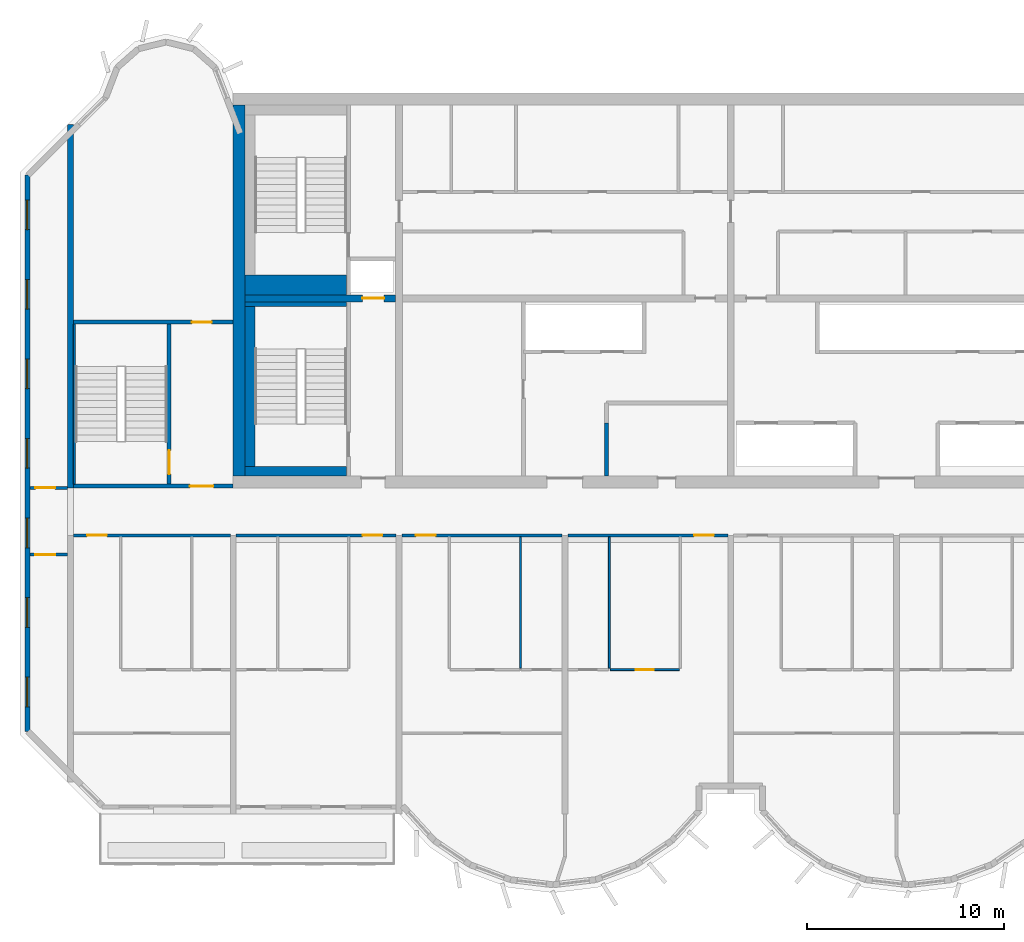
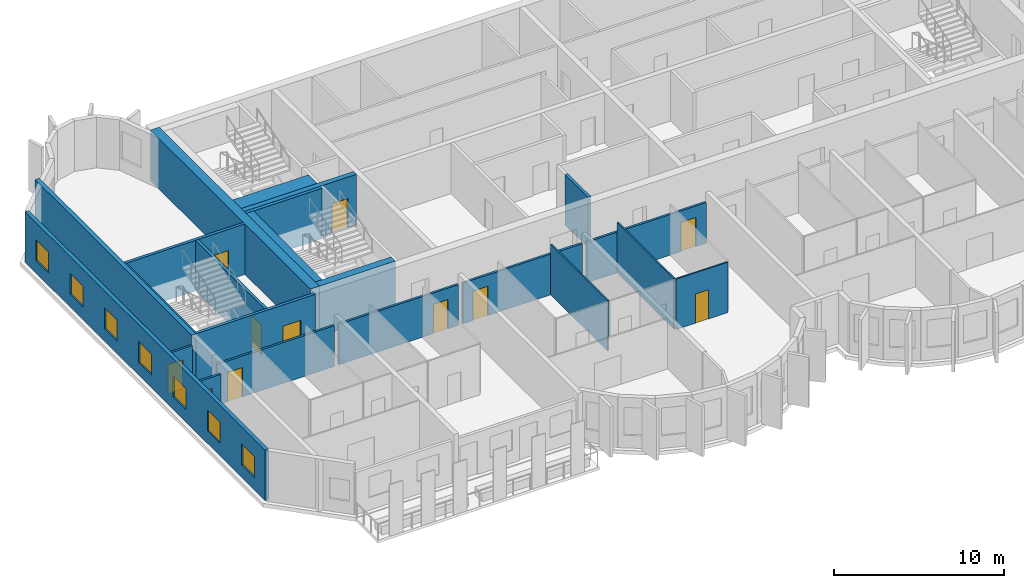
# One storey, part 3 of 12: 22 walls, 11 doors, 7 windows, 18 openings.
"""IFC4 building model written with IfcOpenShell, lengths in metres."""

from ifc_helpers import new_model, si_unit, direction, frame, frame_2d, origin, place, context, subcontext, project, spatial, rectangle, extrude, source, transform, mapped, material, layer, layer_set, type_object, element, fill, save


model = new_model("IFC4")

# Units and contexts
model_context = context("Model", 3, precision=1e-05, world=origin(), true_north=direction((0.0, 1.0)))
body_context = subcontext(model_context, "Body", "Model", "MODEL_VIEW")
ifc_project = project(units=[si_unit("LENGTHUNIT", "METRE"), si_unit("AREAUNIT", "SQUARE_METRE"), si_unit("VOLUMEUNIT", "CUBIC_METRE"), si_unit("PLANEANGLEUNIT", "RADIAN"), si_unit("MASSUNIT", "GRAM", prefix="KILO")], contexts=[model_context])

# Site, building, storey
site_placement = place(None, origin())
site = spatial("IfcSite", under=ifc_project, at=site_placement, CompositionType="ELEMENT")
building_placement = place(site_placement, origin())
building = spatial("IfcBuilding", under=site, at=building_placement, Name="Vanashikhar Sky Hotel", CompositionType="ELEMENT")
storey_placement = place(building_placement, frame((0.0, 0.0, 253.0)))
storey = spatial("IfcBuildingStorey", under=building, at=storey_placement, Name="L61", CompositionType="ELEMENT", Elevation=253.0)

# Wall
ifc_material_1 = material(Name="Concrete M60", Category="concrete")
ifc_layer_1 = layer(ifc_material_1, 0.60009765625)
ifc_layer_set_1 = layer_set([ifc_layer_1], Name="RC core shell wall 600 Concrete M60")
wall_type_1 = type_object("IfcWallType", Name="RC core shell wall 600 Concrete M60", PredefinedType="SHEAR", material=ifc_layer_set_1)
shared_shape_1 = source(origin(), body_context, "Body", "SweptSolid", [
    extrude(rectangle(XDim=18.7998046875, YDim=0.60009765625, at=frame_2d((9.39990234375, 0.0))), origin(), (0.0, 0.0, 1.0), 3.6201171875),
])
wall_1_placement = place(storey_placement, frame((25.5, 22.60009765625, 0.0), z_axis=(0.0, 0.0, 1.0), x_axis=(0.0, 1.0, 0.0)))
element("IfcWall", 1, at=wall_1_placement, inside=storey, type_object=wall_type_1, Name="KW-L61-KW", PredefinedType="SHEAR", context=body_context, shape_type="MappedRepresentation", body=[
    mapped(shared_shape_1, transform((0.0, 0.0, 0.0), scale=1.0)),
])

# Wall, opening, door
ifc_layer_2 = layer(ifc_material_1, 0.35009765625)
ifc_layer_set_2 = layer_set([ifc_layer_2], Name="RC core inner wall 350 Concrete M60")
wall_type_2 = type_object("IfcWallType", Name="RC core inner wall 350 Concrete M60", PredefinedType="SHEAR", material=ifc_layer_set_2)
shared_shape_2 = source(origin(), body_context, "Body", "SweptSolid", [
    extrude(rectangle(XDim=7.625, YDim=0.35009765625, at=frame_2d((3.8125, 0.0))), origin(), (0.0, 0.0, 1.0), 3.6201171875),
])
wall_2_placement = place(storey_placement, frame((25.800048828125, 31.60009765625, 0.0), z_axis=(0.0, 0.0, 1.0), x_axis=(1.0, 0.0, 0.0)))
wall_2 = element("IfcWall", 2, at=wall_2_placement, inside=storey, type_object=wall_type_2, Name="KW-L61-KY1", PredefinedType="SHEAR", context=body_context, shape_type="MappedRepresentation", body=[
    mapped(shared_shape_2, transform((0.0, 0.0, 0.0), scale=1.0)),
])
shared_shape_3 = source(origin(), body_context, "Body", "SweptSolid", [
    extrude(rectangle(XDim=1.10009765625, YDim=2.10009765625, at=frame_2d((0.550048828125, 1.050048828125))), frame((0.0, 0.18505859375, 0.0), z_axis=(0.0, -1.0, 0.0), x_axis=(1.0, 0.0, 0.0)), (0.0, 0.0, 1.0), 0.3701171875),
])
opening_1_placement = place(wall_2_placement, frame((5.93798828125, 0.0, 0.0)))
opening_1 = element("IfcOpeningElement", 3, at=opening_1_placement, cuts=wall_2, Name="Opening LD", PredefinedType="OPENING", context=body_context, shape_type="MappedRepresentation", body=[
    mapped(shared_shape_3, transform((0.0, 0.0, 0.0), scale=1.0)),
])
ifc_material_2 = material(Name="Stainless steel", Category="steel")
door_type_1 = type_object("IfcDoorType", Name="Lift landing door 1100", OperationType="NOTDEFINED", PredefinedType="DOOR", material=ifc_material_2)
shared_shape_4 = source(origin(), body_context, "Body", "SweptSolid", [
    extrude(rectangle(XDim=1.10009765625, YDim=2.10009765625, at=frame_2d((0.550048828125, 1.050048828125))), frame((0.0, 0.02490234375, 0.0), z_axis=(0.0, -1.0, 0.0), x_axis=(1.0, 0.0, 0.0)), (0.0, 0.0, 1.0), 0.050048828125),
])
door_1_placement = place(opening_1_placement, origin())
door_1 = element("IfcDoor", 4, at=door_1_placement, inside=storey, type_object=door_type_1, Name="Lift landing door 1100", OperationType="SLIDING_TO_RIGHT", OverallHeight=2.10009765625, OverallWidth=1.10009765625, PredefinedType="DOOR", context=body_context, shape_type="MappedRepresentation", body=[
    mapped(shared_shape_4, transform((0.0, 0.0, 0.0), scale=1.0)),
])
fill(opening_1, door_1)

# Wall
ifc_layer_3 = layer(ifc_material_1, 0.300048828125)
ifc_layer_set_3 = layer_set([ifc_layer_3], Name="RC shear wall 300 Concrete M60")
wall_type_3 = type_object("IfcWallType", Name="RC shear wall 300 Concrete M60", PredefinedType="SHEAR", material=ifc_layer_set_3)
shared_shape_5 = source(origin(), body_context, "Body", "SweptSolid", [
    extrude(rectangle(XDim=18.39990234375, YDim=0.300048828125, at=frame_2d((9.199951171875, 0.0))), origin(), (0.0, 0.0, 1.0), 3.6201171875),
])
wall_3_placement = place(storey_placement, frame((16.949951171875, 22.0, 0.0), z_axis=(0.0, 0.0, 1.0), x_axis=(0.0, 1.0, 0.0)))
element("IfcWall", 5, at=wall_3_placement, inside=storey, type_object=wall_type_3, Name="CW-L61-XW03-2", PredefinedType="SHEAR", context=body_context, shape_type="MappedRepresentation", body=[
    mapped(shared_shape_5, transform((0.0, 0.0, 0.0), scale=1.0)),
])

# Wall, openings, windows
ifc_material_3 = material(Name="Concrete M50", Category="concrete")
ifc_layer_4 = layer(ifc_material_3, 0.25)
ifc_layer_set_4 = layer_set([ifc_layer_4], Name="Rear and end board-marked wall 250")
wall_type_4 = type_object("IfcWallType", Name="Rear and end board-marked wall 250", PredefinedType="SOLIDWALL", material=ifc_layer_set_4)
shared_shape_6 = source(origin(), body_context, "Body", "SweptSolid", [
    extrude(rectangle(XDim=28.189453125, YDim=0.25, at=frame_2d((14.0947265625, 0.0))), origin(), (0.0, 0.0, 1.0), 3.6201171875),
])
wall_4_placement = place(storey_placement, frame((14.77490234375, 37.8447265625, 0.0), z_axis=(0.0, 0.0, 1.0), x_axis=(0.0, -1.0, 0.0)))
wall_4 = element("IfcWall", 6, at=wall_4_placement, inside=storey, type_object=wall_type_4, Name="End board-marked wall", PredefinedType="SOLIDWALL", context=body_context, shape_type="MappedRepresentation", body=[
    mapped(shared_shape_6, transform((0.0, 0.0, 0.0), scale=1.0)),
])
shared_shape_7 = source(origin(), body_context, "Body", "SweptSolid", [
    extrude(rectangle(XDim=1.5, YDim=1.5, at=frame_2d((0.75, 0.75))), frame((0.0, 0.135009765625, 0.0), z_axis=(0.0, -1.0, 0.0), x_axis=(1.0, 0.0, 0.0)), (0.0, 0.0, 1.0), 0.27001953125),
])
opening_2_placement = place(wall_4_placement, frame((1.263427734375, 0.0, 0.89990234375)))
opening_2 = element("IfcOpeningElement", 7, at=opening_2_placement, cuts=wall_4, Name="Opening WN-1", PredefinedType="OPENING", context=body_context, shape_type="MappedRepresentation", body=[
    mapped(shared_shape_7, transform((0.0, 0.0, 0.0), scale=1.0)),
])
opening_3_placement = place(wall_4_placement, frame((5.29052734375, 0.0, 0.89990234375)))
opening_3 = element("IfcOpeningElement", 8, at=opening_3_placement, cuts=wall_4, Name="Opening WN-1", PredefinedType="OPENING", context=body_context, shape_type="MappedRepresentation", body=[
    mapped(shared_shape_7, transform((0.0, 0.0, 0.0), scale=1.0)),
])
opening_4_placement = place(wall_4_placement, frame((9.317626953125, 0.0, 0.89990234375)))
opening_4 = element("IfcOpeningElement", 9, at=opening_4_placement, cuts=wall_4, Name="Opening WN-1", PredefinedType="OPENING", context=body_context, shape_type="MappedRepresentation", body=[
    mapped(shared_shape_7, transform((0.0, 0.0, 0.0), scale=1.0)),
])
opening_5_placement = place(wall_4_placement, frame((13.3447265625, 0.0, 0.89990234375)))
opening_5 = element("IfcOpeningElement", 10, at=opening_5_placement, cuts=wall_4, Name="Opening WN-1", PredefinedType="OPENING", context=body_context, shape_type="MappedRepresentation", body=[
    mapped(shared_shape_7, transform((0.0, 0.0, 0.0), scale=1.0)),
])
opening_6_placement = place(wall_4_placement, frame((17.371826171875, 0.0, 0.89990234375)))
opening_6 = element("IfcOpeningElement", 11, at=opening_6_placement, cuts=wall_4, Name="Opening WN-1", PredefinedType="OPENING", context=body_context, shape_type="MappedRepresentation", body=[
    mapped(shared_shape_7, transform((0.0, 0.0, 0.0), scale=1.0)),
])
opening_7_placement = place(wall_4_placement, frame((21.398681640625, 0.0, 0.89990234375)))
opening_7 = element("IfcOpeningElement", 12, at=opening_7_placement, cuts=wall_4, Name="Opening WN-1", PredefinedType="OPENING", context=body_context, shape_type="MappedRepresentation", body=[
    mapped(shared_shape_7, transform((0.0, 0.0, 0.0), scale=1.0)),
])
opening_8_placement = place(wall_4_placement, frame((25.42578125, 0.0, 0.89990234375)))
opening_8 = element("IfcOpeningElement", 13, at=opening_8_placement, cuts=wall_4, Name="Opening WN-1", PredefinedType="OPENING", context=body_context, shape_type="MappedRepresentation", body=[
    mapped(shared_shape_7, transform((0.0, 0.0, 0.0), scale=1.0)),
])
ifc_material_4 = material(Name="Glass", Category="glass")
window_type = type_object("IfcWindowType", Name="Window 1500 x 1500", PartitioningType="SINGLE_PANEL", PredefinedType="WINDOW", material=ifc_material_4)
shared_shape_8 = source(origin(), body_context, "Body", "SweptSolid", [
    extrude(rectangle(XDim=1.5, YDim=1.5, at=frame_2d((0.75, 0.75))), frame((0.0, 0.030029296875, 0.0), z_axis=(0.0, -1.0, 0.0), x_axis=(1.0, 0.0, 0.0)), (0.0, 0.0, 1.0), 0.06005859375),
])
window_1_placement = place(opening_2_placement, origin())
window_1 = element("IfcWindow", 14, at=window_1_placement, inside=storey, type_object=window_type, Name="Window WN-1", OverallHeight=1.5, OverallWidth=1.5, PartitioningType="SINGLE_PANEL", PredefinedType="WINDOW", context=body_context, shape_type="MappedRepresentation", body=[
    mapped(shared_shape_8, transform((0.0, 0.0, 0.0), scale=1.0)),
])
fill(opening_2, window_1)
window_2_placement = place(opening_3_placement, origin())
window_2 = element("IfcWindow", 15, at=window_2_placement, inside=storey, type_object=window_type, Name="Window WN-1", OverallHeight=1.5, OverallWidth=1.5, PartitioningType="SINGLE_PANEL", PredefinedType="WINDOW", context=body_context, shape_type="MappedRepresentation", body=[
    mapped(shared_shape_8, transform((0.0, 0.0, 0.0), scale=1.0)),
])
fill(opening_3, window_2)
window_3_placement = place(opening_4_placement, origin())
window_3 = element("IfcWindow", 16, at=window_3_placement, inside=storey, type_object=window_type, Name="Window WN-1", OverallHeight=1.5, OverallWidth=1.5, PartitioningType="SINGLE_PANEL", PredefinedType="WINDOW", context=body_context, shape_type="MappedRepresentation", body=[
    mapped(shared_shape_8, transform((0.0, 0.0, 0.0), scale=1.0)),
])
fill(opening_4, window_3)
window_4_placement = place(opening_5_placement, origin())
window_4 = element("IfcWindow", 17, at=window_4_placement, inside=storey, type_object=window_type, Name="Window WN-1", OverallHeight=1.5, OverallWidth=1.5, PartitioningType="SINGLE_PANEL", PredefinedType="WINDOW", context=body_context, shape_type="MappedRepresentation", body=[
    mapped(shared_shape_8, transform((0.0, 0.0, 0.0), scale=1.0)),
])
fill(opening_5, window_4)
window_5_placement = place(opening_6_placement, origin())
window_5 = element("IfcWindow", 18, at=window_5_placement, inside=storey, type_object=window_type, Name="Window WN-1", OverallHeight=1.5, OverallWidth=1.5, PartitioningType="SINGLE_PANEL", PredefinedType="WINDOW", context=body_context, shape_type="MappedRepresentation", body=[
    mapped(shared_shape_8, transform((0.0, 0.0, 0.0), scale=1.0)),
])
fill(opening_6, window_5)
window_6_placement = place(opening_7_placement, origin())
window_6 = element("IfcWindow", 19, at=window_6_placement, inside=storey, type_object=window_type, Name="Window WN-1", OverallHeight=1.5, OverallWidth=1.5, PartitioningType="SINGLE_PANEL", PredefinedType="WINDOW", context=body_context, shape_type="MappedRepresentation", body=[
    mapped(shared_shape_8, transform((0.0, 0.0, 0.0), scale=1.0)),
])
fill(opening_7, window_6)
window_7_placement = place(opening_8_placement, origin())
window_7 = element("IfcWindow", 20, at=window_7_placement, inside=storey, type_object=window_type, Name="Window WN-1", OverallHeight=1.5, OverallWidth=1.5, PartitioningType="SINGLE_PANEL", PredefinedType="WINDOW", context=body_context, shape_type="MappedRepresentation", body=[
    mapped(shared_shape_8, transform((0.0, 0.0, 0.0), scale=1.0)),
])
fill(opening_8, window_7)

# Wall
ifc_material_5 = material(Name="Gypsum board partition")
ifc_layer_5 = layer(ifc_material_5, 0.14990234375)
ifc_layer_set_5 = layer_set([ifc_layer_5], Name="Service partition 150")
wall_type_5 = type_object("IfcWallType", Name="Service partition 150", PredefinedType="PARTITIONING", material=ifc_layer_set_5)
shared_shape_9 = source(origin(), body_context, "Body", "SweptSolid", [
    extrude(rectangle(XDim=2.699951171875, YDim=0.199951171875, at=frame_2d((1.35009765625, 0.0))), origin(), (0.0, 0.0, 1.0), 3.6201171875),
])
wall_5_placement = place(storey_placement, frame((44.10009765625, 22.60009765625, 0.0), z_axis=(0.0, 0.0, 1.0), x_axis=(0.0, 1.0, 0.0)))
element("IfcWall", 21, at=wall_5_placement, inside=storey, type_object=wall_type_5, Name="Service partition 150", PredefinedType="PARTITIONING", context=body_context, shape_type="MappedRepresentation", body=[
    mapped(shared_shape_9, transform((0.0, 0.0, 0.0), scale=1.0)),
])

# Wall, opening, door
ifc_layer_6 = layer(ifc_material_3, 0.199951171875)
ifc_layer_set_6 = layer_set([ifc_layer_6], Name="Stair wall 200")
wall_type_6 = type_object("IfcWallType", Name="Stair wall 200", PredefinedType="SOLIDWALL", material=ifc_layer_set_6)
shared_shape_10 = source(origin(), body_context, "Body", "SweptSolid", [
    extrude(rectangle(XDim=8.2998046875, YDim=0.199951171875, at=frame_2d((4.14990234375, 0.0))), origin(), (0.0, 0.0, 1.0), 3.6201171875),
])
wall_6_placement = place(storey_placement, frame((21.949951171875, 22.10009765625, 0.0), z_axis=(0.0, 0.0, 1.0), x_axis=(0.0, 1.0, 0.0)))
wall_6 = element("IfcWall", 22, at=wall_6_placement, inside=storey, type_object=wall_type_6, Name="Stair wall 200", PredefinedType="SOLIDWALL", context=body_context, shape_type="MappedRepresentation", body=[
    mapped(shared_shape_10, transform((0.0, 0.0, 0.0), scale=1.0)),
])
shared_shape_11 = source(origin(), body_context, "Body", "SweptSolid", [
    extrude(rectangle(XDim=1.199951171875, YDim=2.10009765625, at=frame_2d((0.60009765625, 1.050048828125))), frame((0.0, 0.10986328125, 0.0), z_axis=(0.0, -1.0, 0.0), x_axis=(1.0, 0.0, 0.0)), (0.0, 0.0, 1.0), 0.219970703125),
])
opening_9_placement = place(wall_6_placement, frame((0.60009765625, 0.0, 0.0)))
opening_9 = element("IfcOpeningElement", 23, at=opening_9_placement, cuts=wall_6, Name="Opening DC-1", PredefinedType="OPENING", context=body_context, shape_type="MappedRepresentation", body=[
    mapped(shared_shape_11, transform((0.0, 0.0, 0.0), scale=1.0)),
])
ifc_material_6 = material(Name="Steel", Category="steel")
door_type_2 = type_object("IfcDoorType", Name="Stair door 1200 FD120", OperationType="NOTDEFINED", PredefinedType="DOOR", material=ifc_material_6)
shared_shape_12 = source(origin(), body_context, "Body", "SweptSolid", [
    extrude(rectangle(XDim=1.199951171875, YDim=2.10009765625, at=frame_2d((0.60009765625, 1.050048828125))), frame((0.0, 0.02490234375, 0.0), z_axis=(0.0, -1.0, 0.0), x_axis=(1.0, 0.0, 0.0)), (0.0, 0.0, 1.0), 0.050048828125),
])
door_2_placement = place(opening_9_placement, origin())
door_2 = element("IfcDoor", 24, at=door_2_placement, inside=storey, type_object=door_type_2, Name="Stair door 1200 FD120", OperationType="SINGLE_SWING_LEFT", OverallHeight=2.10009765625, OverallWidth=1.199951171875, PredefinedType="DOOR", context=body_context, shape_type="MappedRepresentation", body=[
    mapped(shared_shape_12, transform((0.0, 0.0, 0.0), scale=1.0)),
])
fill(opening_9, door_2)

shared_shape_13 = source(origin(), body_context, "Body", "SweptSolid", [
    extrude(rectangle(XDim=8.099853515625, YDim=0.199951171875, at=frame_2d((4.0498046875, 0.0))), origin(), (0.0, 0.0, 1.0), 3.6201171875),
])
wall_7_placement = place(storey_placement, frame((17.10009765625, 22.10009765625, 0.0), z_axis=(0.0, 0.0, 1.0), x_axis=(1.0, 0.0, 0.0)))
wall_7 = element("IfcWall", 25, at=wall_7_placement, inside=storey, type_object=wall_type_6, Name="Stair wall 200", PredefinedType="SOLIDWALL", context=body_context, shape_type="MappedRepresentation", body=[
    mapped(shared_shape_13, transform((0.0, 0.0, 0.0), scale=1.0)),
])
opening_10_placement = place(wall_7_placement, frame((5.89990234375, 0.0, 0.0)))
opening_10 = element("IfcOpeningElement", 26, at=opening_10_placement, cuts=wall_7, Name="Opening DC-2", PredefinedType="OPENING", context=body_context, shape_type="MappedRepresentation", body=[
    mapped(shared_shape_11, transform((0.0, 0.0, 0.0), scale=1.0)),
])
door_type_3 = type_object("IfcDoorType", Name="Firefighting lobby door 1200 FD120", OperationType="NOTDEFINED", PredefinedType="DOOR", material=ifc_material_6)
door_3_placement = place(opening_10_placement, origin())
door_3 = element("IfcDoor", 27, at=door_3_placement, inside=storey, type_object=door_type_3, Name="Firefighting lobby door 1200 FD120", OperationType="SINGLE_SWING_RIGHT", OverallHeight=2.10009765625, OverallWidth=1.199951171875, PredefinedType="DOOR", context=body_context, shape_type="MappedRepresentation", body=[
    mapped(shared_shape_12, transform((0.0, 0.0, 0.0), scale=1.0)),
])
fill(opening_10, door_3)

wall_8_placement = place(storey_placement, frame((17.10009765625, 30.39990234375, 0.0), z_axis=(0.0, 0.0, 1.0), x_axis=(1.0, 0.0, 0.0)))
wall_8 = element("IfcWall", 28, at=wall_8_placement, inside=storey, type_object=wall_type_6, Name="Stair wall 200", PredefinedType="SOLIDWALL", context=body_context, shape_type="MappedRepresentation", body=[
    mapped(shared_shape_13, transform((0.0, 0.0, 0.0), scale=1.0)),
])
shared_shape_14 = source(origin(), body_context, "Body", "SweptSolid", [
    extrude(rectangle(XDim=1.0, YDim=2.10009765625, at=frame_2d((0.5, 1.050048828125))), frame((0.0, 0.10986328125, 0.0), z_axis=(0.0, -1.0, 0.0), x_axis=(1.0, 0.0, 0.0)), (0.0, 0.0, 1.0), 0.219970703125),
])
opening_11_placement = place(wall_8_placement, frame((6.0, 0.0, 0.0)))
opening_11 = element("IfcOpeningElement", 29, at=opening_11_placement, cuts=wall_8, Name="Opening DC-6", PredefinedType="OPENING", context=body_context, shape_type="MappedRepresentation", body=[
    mapped(shared_shape_14, transform((0.0, 0.0, 0.0), scale=1.0)),
])
door_type_4 = type_object("IfcDoorType", Name="Pocket door 1000 FD60", OperationType="NOTDEFINED", PredefinedType="DOOR", material=ifc_material_6)
shared_shape_15 = source(origin(), body_context, "Body", "SweptSolid", [
    extrude(rectangle(XDim=1.0, YDim=2.10009765625, at=frame_2d((0.5, 1.050048828125))), frame((0.0, 0.02490234375, 0.0), z_axis=(0.0, -1.0, 0.0), x_axis=(1.0, 0.0, 0.0)), (0.0, 0.0, 1.0), 0.050048828125),
])
door_4_placement = place(opening_11_placement, origin())
door_4 = element("IfcDoor", 30, at=door_4_placement, inside=storey, type_object=door_type_4, Name="Pocket door 1000 FD60", OperationType="SINGLE_SWING_RIGHT", OverallHeight=2.10009765625, OverallWidth=1.0, PredefinedType="DOOR", context=body_context, shape_type="MappedRepresentation", body=[
    mapped(shared_shape_15, transform((0.0, 0.0, 0.0), scale=1.0)),
])
fill(opening_11, door_4)

# Walls
ifc_layer_7 = layer(ifc_material_3, 0.5)
ifc_layer_set_7 = layer_set([ifc_layer_7], Name="Stair infill wall 500")
wall_type_7 = type_object("IfcWallType", Name="Stair infill wall 500", PredefinedType="SOLIDWALL", material=ifc_layer_set_7)
shared_shape_16 = source(origin(), body_context, "Body", "SweptSolid", [
    extrude(rectangle(XDim=5.14990234375, YDim=0.5, at=frame_2d((2.574951171875, 0.0))), origin(), (0.0, 0.0, 1.0), 3.6201171875),
])
wall_9_placement = place(storey_placement, frame((25.800048828125, 22.85009765625, 0.0), z_axis=(0.0, 0.0, 1.0), x_axis=(1.0, 0.0, 0.0)))
element("IfcWall", 31, at=wall_9_placement, inside=storey, type_object=wall_type_7, Name="Stair infill wall 500", PredefinedType="SOLIDWALL", context=body_context, shape_type="MappedRepresentation", body=[
    mapped(shared_shape_16, transform((0.0, 0.0, 0.0), scale=1.0)),
])
ifc_layer_8 = layer(ifc_material_3, 0.22509765625)
ifc_layer_set_8 = layer_set([ifc_layer_8], Name="Stair infill wall 225")
wall_type_8 = type_object("IfcWallType", Name="Stair infill wall 225", PredefinedType="SOLIDWALL", material=ifc_layer_set_8)
shared_shape_17 = source(origin(), body_context, "Body", "SweptSolid", [
    extrude(rectangle(XDim=5.14990234375, YDim=0.22509765625, at=frame_2d((2.574951171875, 0.0))), origin(), (0.0, 0.0, 1.0), 3.6201171875),
])
wall_10_placement = place(storey_placement, frame((25.800048828125, 31.31201171875, 0.0), z_axis=(0.0, 0.0, 1.0), x_axis=(1.0, 0.0, 0.0)))
element("IfcWall", 32, at=wall_10_placement, inside=storey, type_object=wall_type_8, Name="Stair infill wall 225", PredefinedType="SOLIDWALL", context=body_context, shape_type="MappedRepresentation", body=[
    mapped(shared_shape_17, transform((0.0, 0.0, 0.0), scale=1.0)),
])
shared_shape_18 = source(origin(), body_context, "Body", "SweptSolid", [
    extrude(rectangle(XDim=8.099853515625, YDim=0.5, at=frame_2d((4.0498046875, 0.0))), origin(), (0.0, 0.0, 1.0), 3.6201171875),
])
wall_11_placement = place(storey_placement, frame((26.050048828125, 23.10009765625, 0.0), z_axis=(0.0, 0.0, 1.0), x_axis=(0.0, 1.0, 0.0)))
element("IfcWall", 33, at=wall_11_placement, inside=storey, type_object=wall_type_7, Name="Stair infill wall 500", PredefinedType="SOLIDWALL", context=body_context, shape_type="MappedRepresentation", body=[
    mapped(shared_shape_18, transform((0.0, 0.0, 0.0), scale=1.0)),
])
ifc_layer_9 = layer(ifc_material_3, 0.10009765625)
ifc_layer_set_9 = layer_set([ifc_layer_9], Name="Stair infill wall 100")
wall_type_9 = type_object("IfcWallType", Name="Stair infill wall 100", PredefinedType="SOLIDWALL", material=ifc_layer_set_9)
shared_shape_19 = source(origin(), body_context, "Body", "SweptSolid", [
    extrude(rectangle(XDim=8.10009765625, YDim=0.10009765625, at=frame_2d((4.050048828125, 0.0))), origin(), (0.0, 0.0, 1.0), 3.6201171875),
])
wall_12_placement = place(storey_placement, frame((17.14990234375, 22.199951171875, 0.0), z_axis=(0.0, 0.0, 1.0), x_axis=(0.0, 1.0, 0.0)))
element("IfcWall", 34, at=wall_12_placement, inside=storey, type_object=wall_type_9, Name="Stair infill wall 100", PredefinedType="SOLIDWALL", context=body_context, shape_type="MappedRepresentation", body=[
    mapped(shared_shape_19, transform((0.0, 0.0, 0.0), scale=1.0)),
])
ifc_layer_10 = layer(ifc_material_3, 1.02490234375)
ifc_layer_set_10 = layer_set([ifc_layer_10], Name="Stair infill wall 1025")
wall_type_10 = type_object("IfcWallType", Name="Stair infill wall 1025", PredefinedType="SOLIDWALL", material=ifc_layer_set_10)
shared_shape_20 = source(origin(), body_context, "Body", "SweptSolid", [
    extrude(rectangle(XDim=5.14990234375, YDim=1.02490234375, at=frame_2d((2.574951171875, 0.0))), origin(), (0.0, 0.0, 1.0), 3.6201171875),
])
wall_13_placement = place(storey_placement, frame((25.800048828125, 32.287109375, 0.0), z_axis=(0.0, 0.0, 1.0), x_axis=(1.0, 0.0, 0.0)))
element("IfcWall", 35, at=wall_13_placement, inside=storey, type_object=wall_type_10, Name="Stair infill wall 1025", PredefinedType="SOLIDWALL", context=body_context, shape_type="MappedRepresentation", body=[
    mapped(shared_shape_20, transform((0.0, 0.0, 0.0), scale=1.0)),
])

# Wall, opening, door
ifc_material_7 = material(Name="Gypsum plasterboard partition")
ifc_layer_11 = layer(ifc_material_7, 0.10009765625)
ifc_layer_set_11 = layer_set([ifc_layer_11], Name="Wet room partition 100")
wall_type_11 = type_object("IfcWallType", Name="Wet room partition 100", PredefinedType="PARTITIONING", material=ifc_layer_set_11)
shared_shape_21 = source(origin(), body_context, "Body", "SweptSolid", [
    extrude(rectangle(XDim=3.5, YDim=0.10009765625, at=frame_2d((1.75, 0.0))), origin(), (0.0, 0.0, 1.0), 3.6201171875),
])
wall_14_placement = place(storey_placement, frame((44.300048828125, 12.800048828125, 0.0), z_axis=(0.0, 0.0, 1.0), x_axis=(1.0, 0.0, 0.0)))
wall_14 = element("IfcWall", 36, at=wall_14_placement, inside=storey, type_object=wall_type_11, Name="W-L61-PW020", PredefinedType="PARTITIONING", context=body_context, shape_type="MappedRepresentation", body=[
    mapped(shared_shape_21, transform((0.0, 0.0, 0.0), scale=1.0)),
])
shared_shape_22 = source(origin(), body_context, "Body", "SweptSolid", [
    extrude(rectangle(XDim=0.89990234375, YDim=2.10009765625, at=frame_2d((0.449951171875, 1.050048828125))), frame((0.0, 0.06005859375, 0.0), z_axis=(0.0, -1.0, 0.0), x_axis=(1.0, 0.0, 0.0)), (0.0, 0.0, 1.0), 0.1201171875),
])
opening_12_placement = place(wall_14_placement, frame((1.300048828125, 0.0, 0.0)))
opening_12 = element("IfcOpeningElement", 37, at=opening_12_placement, cuts=wall_14, Name="Opening D-02", PredefinedType="OPENING", context=body_context, shape_type="MappedRepresentation", body=[
    mapped(shared_shape_22, transform((0.0, 0.0, 0.0), scale=1.0)),
])
ifc_material_8 = material(Name="Timber door", Category="wood")
door_type_5 = type_object("IfcDoorType", Name="Internal door 900", OperationType="NOTDEFINED", PredefinedType="DOOR", material=ifc_material_8)
shared_shape_23 = source(origin(), body_context, "Body", "SweptSolid", [
    extrude(rectangle(XDim=0.89990234375, YDim=2.10009765625, at=frame_2d((0.449951171875, 1.050048828125))), frame((0.0, 0.02490234375, 0.0), z_axis=(0.0, -1.0, 0.0), x_axis=(1.0, 0.0, 0.0)), (0.0, 0.0, 1.0), 0.050048828125),
])
door_5_placement = place(opening_12_placement, origin())
door_5 = element("IfcDoor", 38, at=door_5_placement, inside=storey, type_object=door_type_5, Name="D-L61-012", OperationType="SINGLE_SWING_RIGHT", OverallHeight=2.10009765625, OverallWidth=0.89990234375, PredefinedType="DOOR", context=body_context, shape_type="MappedRepresentation", body=[
    mapped(shared_shape_23, transform((0.0, 0.0, 0.0), scale=1.0)),
])
fill(opening_12, door_5)

ifc_layer_12 = layer(ifc_material_7, 0.14990234375)
ifc_layer_set_12 = layer_set([ifc_layer_12], Name="Corridor and demising partition 150")
wall_type_12 = type_object("IfcWallType", Name="Corridor and demising partition 150", PredefinedType="PARTITIONING", material=ifc_layer_set_12)
shared_shape_24 = source(origin(), body_context, "Body", "SweptSolid", [
    extrude(rectangle(XDim=8.099853515625, YDim=0.14990234375, at=frame_2d((4.0498046875, 0.0))), origin(), (0.0, 0.0, 1.0), 2.919921875),
])
wall_15_placement = place(storey_placement, frame((25.35009765625, 19.60009765625, 0.0), z_axis=(0.0, 0.0, 1.0), x_axis=(1.0, 0.0, 0.0)))
wall_15 = element("IfcWall", 39, at=wall_15_placement, inside=storey, type_object=wall_type_12, Name="W-L61-PW011", PredefinedType="PARTITIONING", context=body_context, shape_type="MappedRepresentation", body=[
    mapped(shared_shape_24, transform((0.0, 0.0, 0.0), scale=1.0)),
])
shared_shape_25 = source(origin(), body_context, "Body", "SweptSolid", [
    extrude(rectangle(XDim=1.0, YDim=2.10009765625, at=frame_2d((0.5, 1.050048828125))), frame((0.0, 0.0849609375, 0.0), z_axis=(0.0, -1.0, 0.0), x_axis=(1.0, 0.0, 0.0)), (0.0, 0.0, 1.0), 0.169921875),
])
opening_13_placement = place(wall_15_placement, frame((6.39990234375, 0.0, 0.0)))
opening_13 = element("IfcOpeningElement", 40, at=opening_13_placement, cuts=wall_15, Name="Opening D-01", PredefinedType="OPENING", context=body_context, shape_type="MappedRepresentation", body=[
    mapped(shared_shape_25, transform((0.0, 0.0, 0.0), scale=1.0)),
])
ifc_material_9 = material(Name="Timber fire door", Category="wood")
door_type_6 = type_object("IfcDoorType", Name="Guest entry door 1000 FD30S", OperationType="NOTDEFINED", PredefinedType="DOOR", material=ifc_material_9)
door_6_placement = place(opening_13_placement, origin())
door_6 = element("IfcDoor", 41, at=door_6_placement, inside=storey, type_object=door_type_6, Name="D-L61-007", OperationType="SINGLE_SWING_RIGHT", OverallHeight=2.10009765625, OverallWidth=1.0, PredefinedType="DOOR", context=body_context, shape_type="MappedRepresentation", body=[
    mapped(shared_shape_15, transform((0.0, 0.0, 0.0), scale=1.0)),
])
fill(opening_13, door_6)

shared_shape_26 = source(origin(), body_context, "Body", "SweptSolid", [
    extrude(rectangle(XDim=8.10009765625, YDim=0.14990234375, at=frame_2d((4.050048828125, 0.0))), origin(), (0.0, 0.0, 1.0), 2.919921875),
])
wall_16_placement = place(storey_placement, frame((33.75, 19.60009765625, 0.0), z_axis=(0.0, 0.0, 1.0), x_axis=(1.0, 0.0, 0.0)))
wall_16 = element("IfcWall", 42, at=wall_16_placement, inside=storey, type_object=wall_type_12, Name="W-L61-PW017", PredefinedType="PARTITIONING", context=body_context, shape_type="MappedRepresentation", body=[
    mapped(shared_shape_26, transform((0.0, 0.0, 0.0), scale=1.0)),
])
opening_14_placement = place(wall_16_placement, frame((0.699951171875, 0.0, 0.0)))
opening_14 = element("IfcOpeningElement", 43, at=opening_14_placement, cuts=wall_16, Name="Opening D-01", PredefinedType="OPENING", context=body_context, shape_type="MappedRepresentation", body=[
    mapped(shared_shape_25, transform((0.0, 0.0, 0.0), scale=1.0)),
])
door_7_placement = place(opening_14_placement, origin())
door_7 = element("IfcDoor", 44, at=door_7_placement, inside=storey, type_object=door_type_6, Name="D-L61-011", OperationType="SINGLE_SWING_LEFT", OverallHeight=2.10009765625, OverallWidth=1.0, PredefinedType="DOOR", context=body_context, shape_type="MappedRepresentation", body=[
    mapped(shared_shape_15, transform((0.0, 0.0, 0.0), scale=1.0)),
])
fill(opening_14, door_7)

wall_17_placement = place(storey_placement, frame((42.14990234375, 19.60009765625, 0.0), z_axis=(0.0, 0.0, 1.0), x_axis=(1.0, 0.0, 0.0)))
wall_17 = element("IfcWall", 45, at=wall_17_placement, inside=storey, type_object=wall_type_12, Name="W-L61-PW022", PredefinedType="PARTITIONING", context=body_context, shape_type="MappedRepresentation", body=[
    mapped(shared_shape_26, transform((0.0, 0.0, 0.0), scale=1.0)),
])
opening_15_placement = place(wall_17_placement, frame((6.39990234375, 0.0, 0.0)))
opening_15 = element("IfcOpeningElement", 46, at=opening_15_placement, cuts=wall_17, Name="Opening D-01", PredefinedType="OPENING", context=body_context, shape_type="MappedRepresentation", body=[
    mapped(shared_shape_25, transform((0.0, 0.0, 0.0), scale=1.0)),
])
door_8_placement = place(opening_15_placement, origin())
door_8 = element("IfcDoor", 47, at=door_8_placement, inside=storey, type_object=door_type_6, Name="D-L61-014", OperationType="SINGLE_SWING_RIGHT", OverallHeight=2.10009765625, OverallWidth=1.0, PredefinedType="DOOR", context=body_context, shape_type="MappedRepresentation", body=[
    mapped(shared_shape_15, transform((0.0, 0.0, 0.0), scale=1.0)),
])
fill(opening_15, door_8)

shared_shape_27 = source(origin(), body_context, "Body", "SweptSolid", [
    extrude(rectangle(XDim=7.949951171875, YDim=0.14990234375, at=frame_2d((3.97509765625, 0.0))), origin(), (0.0, 0.0, 1.0), 2.919921875),
])
wall_18_placement = place(storey_placement, frame((17.10009765625, 19.60009765625, 0.0), z_axis=(0.0, 0.0, 1.0), x_axis=(1.0, 0.0, 0.0)))
wall_18 = element("IfcWall", 48, at=wall_18_placement, inside=storey, type_object=wall_type_12, Name="W-L61-PW006", PredefinedType="PARTITIONING", context=body_context, shape_type="MappedRepresentation", body=[
    mapped(shared_shape_27, transform((0.0, 0.0, 0.0), scale=1.0)),
])
opening_16_placement = place(wall_18_placement, frame((0.699951171875, 0.0, 0.0)))
opening_16 = element("IfcOpeningElement", 49, at=opening_16_placement, cuts=wall_18, Name="Opening D-01", PredefinedType="OPENING", context=body_context, shape_type="MappedRepresentation", body=[
    mapped(shared_shape_25, transform((0.0, 0.0, 0.0), scale=1.0)),
])
door_9_placement = place(opening_16_placement, origin())
door_9 = element("IfcDoor", 50, at=door_9_placement, inside=storey, type_object=door_type_6, Name="D-L61-004", OperationType="SINGLE_SWING_LEFT", OverallHeight=2.10009765625, OverallWidth=1.0, PredefinedType="DOOR", context=body_context, shape_type="MappedRepresentation", body=[
    mapped(shared_shape_15, transform((0.0, 0.0, 0.0), scale=1.0)),
])
fill(opening_16, door_9)

shared_shape_28 = source(origin(), body_context, "Body", "SweptSolid", [
    extrude(rectangle(XDim=1.900146484375, YDim=0.14990234375, at=frame_2d((0.9501953125, 0.0))), origin(), (0.0, 0.0, 1.0), 2.919921875),
])
wall_19_placement = place(storey_placement, frame((14.89990234375, 22.0, 0.0), z_axis=(0.0, 0.0, 1.0), x_axis=(1.0, 0.0, 0.0)))
wall_19 = element("IfcWall", 51, at=wall_19_placement, inside=storey, type_object=wall_type_12, Name="W-L61-PW050", PredefinedType="PARTITIONING", context=body_context, shape_type="MappedRepresentation", body=[
    mapped(shared_shape_28, transform((0.0, 0.0, 0.0), scale=1.0)),
])
opening_17_placement = place(wall_19_placement, frame((0.27490234375, 0.0, 0.0)))
opening_17 = element("IfcOpeningElement", 52, at=opening_17_placement, cuts=wall_19, Name="Opening D-01", PredefinedType="OPENING", context=body_context, shape_type="MappedRepresentation", body=[
    mapped(shared_shape_25, transform((0.0, 0.0, 0.0), scale=1.0)),
])
door_10_placement = place(opening_17_placement, origin())
door_10 = element("IfcDoor", 53, at=door_10_placement, inside=storey, type_object=door_type_6, Name="D-L61-031", OperationType="SINGLE_SWING_LEFT", OverallHeight=2.10009765625, OverallWidth=1.0, PredefinedType="DOOR", context=body_context, shape_type="MappedRepresentation", body=[
    mapped(shared_shape_15, transform((0.0, 0.0, 0.0), scale=1.0)),
])
fill(opening_17, door_10)

wall_20_placement = place(storey_placement, frame((14.89990234375, 18.6279296875, 0.0), z_axis=(0.0, 0.0, 1.0), x_axis=(1.0, 0.0, 0.0)))
wall_20 = element("IfcWall", 54, at=wall_20_placement, inside=storey, type_object=wall_type_12, Name="W-L61-PW051", PredefinedType="PARTITIONING", context=body_context, shape_type="MappedRepresentation", body=[
    mapped(shared_shape_28, transform((0.0, 0.0, 0.0), scale=1.0)),
])
opening_18_placement = place(wall_20_placement, frame((0.27490234375, 0.0, 0.0)))
opening_18 = element("IfcOpeningElement", 55, at=opening_18_placement, cuts=wall_20, Name="Opening D-01", PredefinedType="OPENING", context=body_context, shape_type="MappedRepresentation", body=[
    mapped(shared_shape_25, transform((0.0, 0.0, 0.0), scale=1.0)),
])
door_11_placement = place(opening_18_placement, origin())
door_11 = element("IfcDoor", 56, at=door_11_placement, inside=storey, type_object=door_type_6, Name="D-L61-032", OperationType="SINGLE_SWING_LEFT", OverallHeight=2.10009765625, OverallWidth=1.0, PredefinedType="DOOR", context=body_context, shape_type="MappedRepresentation", body=[
    mapped(shared_shape_15, transform((0.0, 0.0, 0.0), scale=1.0)),
])
fill(opening_18, door_11)

# Walls
shared_shape_29 = source(origin(), body_context, "Body", "SweptSolid", [
    extrude(rectangle(XDim=6.64990234375, YDim=0.10009765625, at=frame_2d((3.324951171875, 0.0))), origin(), (0.0, 0.0, 1.0), 3.6201171875),
])
for number, where, z_axis, x_axis, name in (
    (57, (39.75, 12.875, 0.0), (0.0, 0.0, 1.0), (0.0, 1.0, 0.0), "W-L61-PW013"),
    (58, (44.25, 12.875, 0.0), (0.0, 0.0, 1.0), (0.0, 1.0, 0.0), "W-L61-PW019"),
):
    element("IfcWall", number, at=place(storey_placement, frame(where, z_axis=z_axis, x_axis=x_axis)), inside=storey, type_object=wall_type_11, Name=name, PredefinedType="PARTITIONING", context=body_context, shape_type="MappedRepresentation", body=[
        mapped(shared_shape_29, transform((0.0, 0.0, 0.0), scale=1.0)),
    ])

save(model, "model.ifc")
